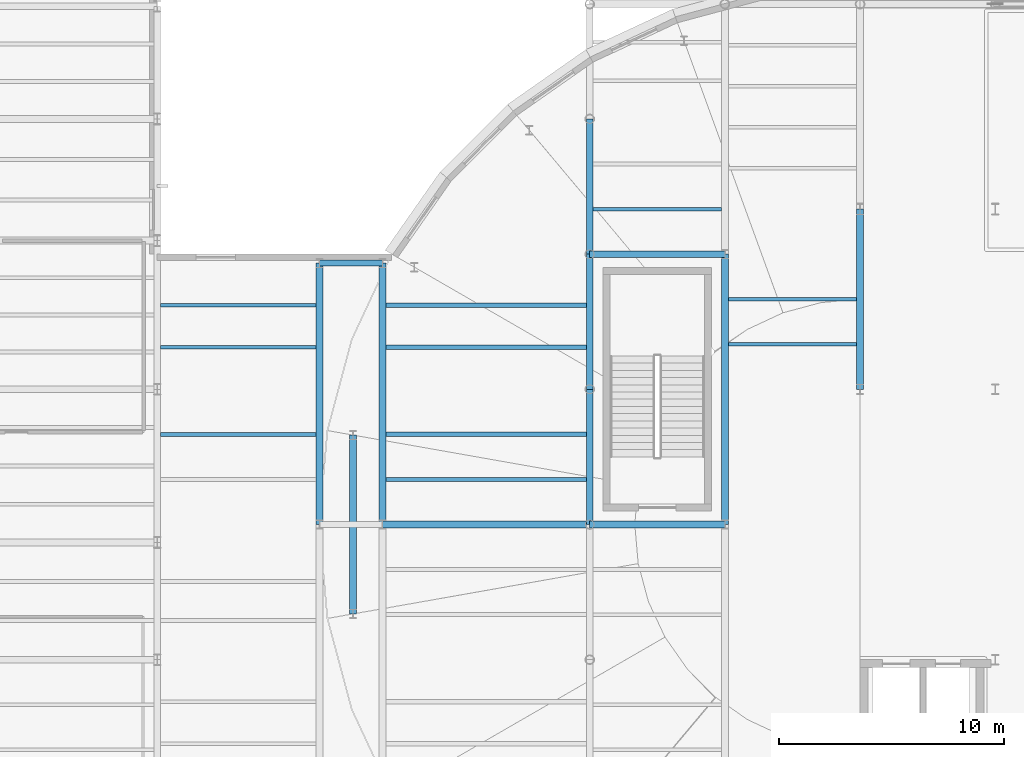
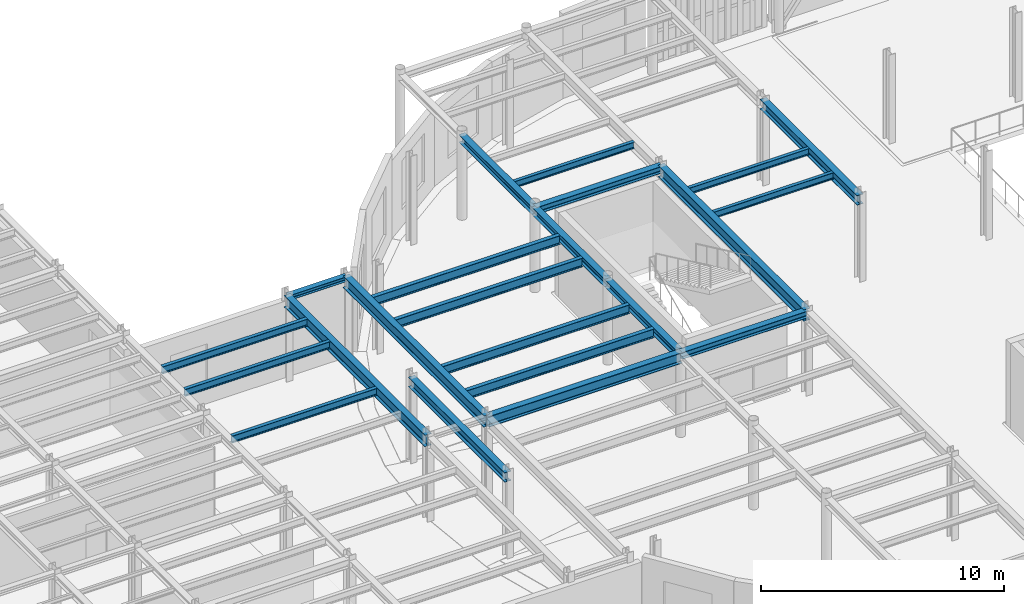
# One storey, part 20 of 91: 22 beams.
"""IFC4 building model written with IfcOpenShell, lengths in metres."""

from ifc_helpers import new_model, si_unit, direction, frame, origin, origin_2d, place, context, subcontext, project, spatial, i_section, extrude, material, material_profile, profile_set, type_object, element, save


model = new_model("IFC4")

# Units and contexts
model_context = context("Model", 3, precision=1e-05, world=origin(), true_north=direction((0.0, 1.0)))
body_context = subcontext(model_context, "Body", "Model", "MODEL_VIEW")
ifc_project = project(units=[si_unit("LENGTHUNIT", "METRE"), si_unit("AREAUNIT", "SQUARE_METRE"), si_unit("VOLUMEUNIT", "CUBIC_METRE"), si_unit("PLANEANGLEUNIT", "RADIAN"), si_unit("MASSUNIT", "GRAM", prefix="KILO")], contexts=[model_context])

# Site, building, storey
site_placement = place(None, origin())
site = spatial("IfcSite", under=ifc_project, at=site_placement, CompositionType="ELEMENT")
building_placement = place(site_placement, origin())
building = spatial("IfcBuilding", under=site, at=building_placement, Name="Kolvaren Corner Interchange", CompositionType="ELEMENT")
storey_placement = place(building_placement, frame((0.0, 0.0, 6.0)))
storey = spatial("IfcBuildingStorey", under=building, at=storey_placement, Name="L02", CompositionType="ELEMENT", Elevation=6.0)

# Beams
ifc_material_1 = material(Name="Steel S355", Category="steel")
ifc_material_profile_1 = material_profile(ifc_material_1, i_section(OverallWidth=0.260009765625, OverallDepth=0.25, WebThickness=0.007568359375, FlangeThickness=0.012451171875, FilletRadius=0.02392578125, at=origin_2d()), Name="HEA 260")
ifc_profile_set_1 = profile_set([ifc_material_profile_1], Name="Steel S355")
beam_type_1 = type_object("IfcBeamType", Name="BM-HEA260", PredefinedType="BEAM", material=ifc_profile_set_1)
beam_1_placement = place(storey_placement, frame((36.0, 59.60009765625, 4.125), z_axis=(1.0, 0.0, 0.0), x_axis=(0.0, 1.0, 0.0)))
element("IfcBeam", 1, at=beam_1_placement, inside=storey, type_object=beam_type_1, Name="Storey L02 Grid X Primary Girder 0582", PredefinedType="BEAM", context=body_context, shape_type="SweptSolid", body=[
    extrude(i_section(OverallWidth=0.260009765625, OverallDepth=0.25, WebThickness=0.007568359375, FlangeThickness=0.012451171875, FilletRadius=0.02392578125, at=origin_2d()), origin(), (0.0, 0.0, 1.0), 2.800048828125),
])
ifc_material_2 = material(Name="Steel S355", Category="steel")
ifc_material_profile_2 = material_profile(ifc_material_2, i_section(OverallWidth=0.300048828125, OverallDepth=0.35009765625, WebThickness=0.010009765625, FlangeThickness=0.017578125, FilletRadius=0.027099609375, at=origin_2d()), Name="HEA 360")
ifc_profile_set_2 = profile_set([ifc_material_profile_2], Name="Steel S355")
beam_type_2 = type_object("IfcBeamType", Name="BM-HEA360", PredefinedType="BEAM", material=ifc_profile_set_2)
for number, where, z_axis, x_axis, name in (
    (2, (48.0, 48.0, 4.074951171875), (1.0, 0.0, 0.0), (0.0, 1.0, 0.0), "Storey L02 Grid X Primary Girder 0578"),
    (3, (48.0, 60.0, 4.074951171875), (1.0, 0.0, 0.0), (0.0, 1.0, 0.0), "Storey L02 Grid X Primary Girder 0583"),
):
    element("IfcBeam", number, at=place(storey_placement, frame(where, z_axis=z_axis, x_axis=x_axis)), inside=storey, type_object=beam_type_2, Name=name, PredefinedType="BEAM", context=body_context, shape_type="SweptSolid", body=[
        extrude(i_section(OverallWidth=0.300048828125, OverallDepth=0.35009765625, WebThickness=0.010009765625, FlangeThickness=0.017578125, FilletRadius=0.027099609375, at=origin_2d()), origin(), (0.0, 0.0, 1.0), 6.0),
    ])
ifc_material_3 = material(Name="Steel S355", Category="steel")
ifc_material_profile_3 = material_profile(ifc_material_3, i_section(OverallWidth=0.300048828125, OverallDepth=0.389892578125, WebThickness=0.010986328125, FlangeThickness=0.01904296875, FilletRadius=0.027099609375, at=origin_2d()), Name="HEA 400")
ifc_profile_set_3 = profile_set([ifc_material_profile_3], Name="Steel S355")
beam_type_3 = type_object("IfcBeamType", Name="BM-HEA400", PredefinedType="BEAM", material=ifc_profile_set_3)
for number, where, z_axis, x_axis, name in (
    (4, (48.0, 48.0, 4.054931640625), (0.0, 1.0, 0.0), (-1.0, 0.0, 0.0), "Storey L02 Grid Y Primary Girder 0645"),
    (5, (48.0, 54.0, 4.054931640625), (0.0, 1.0, 0.0), (-1.0, 0.0, 0.0), "Storey L02 Grid Y Primary Girder 0646"),
    (6, (48.0, 60.0, 4.054931640625), (0.0, 1.0, 0.0), (-1.0, 0.0, 0.0), "Storey L02 Grid Y Primary Girder 0647"),
):
    element("IfcBeam", number, at=place(storey_placement, frame(where, z_axis=z_axis, x_axis=x_axis)), inside=storey, type_object=beam_type_3, Name=name, PredefinedType="BEAM", context=body_context, shape_type="SweptSolid", body=[
        extrude(i_section(OverallWidth=0.300048828125, OverallDepth=0.389892578125, WebThickness=0.010986328125, FlangeThickness=0.01904296875, FilletRadius=0.027099609375, at=origin_2d()), origin(), (0.0, 0.0, 1.0), 6.0),
    ])
ifc_material_4 = material(Name="Steel S355", Category="steel")
ifc_material_profile_4 = material_profile(ifc_material_4, i_section(OverallWidth=0.300048828125, OverallDepth=0.489990234375, WebThickness=0.011962890625, FlangeThickness=0.02294921875, FilletRadius=0.027099609375, at=origin_2d()), Name="HEA 500")
ifc_profile_set_4 = profile_set([ifc_material_profile_4], Name="Steel S355")
beam_type_4 = type_object("IfcBeamType", Name="BM-HEA500", PredefinedType="BEAM", material=ifc_profile_set_4)
beam_2_placement = place(storey_placement, frame((37.4970703125, 44.031982421875, 4.0048828125), z_axis=(0.0, 1.0, 0.0), x_axis=(-1.0, 0.0, 0.0)))
element("IfcBeam", 7, at=beam_2_placement, inside=storey, type_object=beam_type_4, Name="Storey L02 Grid Y Primary Girder 0638", PredefinedType="BEAM", context=body_context, shape_type="SweptSolid", body=[
    extrude(i_section(OverallWidth=0.300048828125, OverallDepth=0.489990234375, WebThickness=0.011962890625, FlangeThickness=0.02294921875, FilletRadius=0.027099609375, at=origin_2d()), origin(), (0.0, 0.0, 1.0), 7.93603515625),
])
beam_3_placement = place(storey_placement, frame((60.0, 54.0, 4.0048828125), z_axis=(0.0, 1.0, 0.0), x_axis=(-1.0, 0.0, 0.0)))
element("IfcBeam", 8, at=beam_3_placement, inside=storey, type_object=beam_type_4, Name="Storey L02 Grid Y Primary Girder 0653", PredefinedType="BEAM", context=body_context, shape_type="SweptSolid", body=[
    extrude(i_section(OverallWidth=0.300048828125, OverallDepth=0.489990234375, WebThickness=0.011962890625, FlangeThickness=0.02294921875, FilletRadius=0.027099609375, at=origin_2d()), origin(), (0.0, 0.0, 1.0), 8.0),
])
ifc_material_5 = material(Name="Steel S355", Category="steel")
ifc_material_profile_5 = material_profile(ifc_material_5, i_section(OverallWidth=0.300048828125, OverallDepth=0.5400390625, WebThickness=0.012451171875, FlangeThickness=0.02392578125, FilletRadius=0.027099609375, at=origin_2d()), Name="HEA 550")
ifc_profile_set_5 = profile_set([ifc_material_profile_5], Name="Steel S355")
beam_type_5 = type_object("IfcBeamType", Name="BM-HEA550", PredefinedType="BEAM", material=ifc_profile_set_5)
beam_4_placement = place(storey_placement, frame((38.800048828125, 48.0, 3.97998046875), z_axis=(1.0, 0.0, 0.0), x_axis=(0.0, 1.0, 0.0)))
element("IfcBeam", 9, at=beam_4_placement, inside=storey, type_object=beam_type_5, Name="Storey L02 Grid X Primary Girder 0577", PredefinedType="BEAM", context=body_context, shape_type="SweptSolid", body=[
    extrude(i_section(OverallWidth=0.300048828125, OverallDepth=0.5400390625, WebThickness=0.012451171875, FlangeThickness=0.02392578125, FilletRadius=0.027099609375, at=origin_2d()), origin(), (0.0, 0.0, 1.0), 9.199951171875),
])
ifc_material_6 = material(Name="Steel S355", Category="steel")
ifc_material_profile_6 = material_profile(ifc_material_6, i_section(OverallWidth=0.300048828125, OverallDepth=0.590087890625, WebThickness=0.012939453125, FlangeThickness=0.02490234375, FilletRadius=0.027099609375, at=origin_2d()), Name="HEA 600")
ifc_profile_set_6 = profile_set([ifc_material_profile_6], Name="Steel S355")
beam_type_6 = type_object("IfcBeamType", Name="BM-HEA600", PredefinedType="BEAM", material=ifc_profile_set_6)
for number, where, z_axis, x_axis, name in (
    (10, (36.0, 48.0, 3.955078125), (0.0, 1.0, 0.0), (-1.0, 0.0, 0.0), "Storey L02 Grid Y Primary Girder 0637"),
    (11, (38.800048828125, 48.0, 3.955078125), (0.0, 1.0, 0.0), (-1.0, 0.0, 0.0), "Storey L02 Grid Y Primary Girder 0640"),
):
    element("IfcBeam", number, at=place(storey_placement, frame(where, z_axis=z_axis, x_axis=x_axis)), inside=storey, type_object=beam_type_6, Name=name, PredefinedType="BEAM", context=body_context, shape_type="SweptSolid", body=[
        extrude(i_section(OverallWidth=0.300048828125, OverallDepth=0.590087890625, WebThickness=0.012939453125, FlangeThickness=0.02490234375, FilletRadius=0.027099609375, at=origin_2d()), origin(), (0.0, 0.0, 1.0), 11.60009765625),
    ])
beam_5_placement = place(storey_placement, frame((54.0, 48.0, 3.955078125), z_axis=(0.0, 1.0, 0.0), x_axis=(-1.0, 0.0, 0.0)))
element("IfcBeam", 12, at=beam_5_placement, inside=storey, type_object=beam_type_6, Name="Storey L02 Grid Y Primary Girder 0651", PredefinedType="BEAM", context=body_context, shape_type="SweptSolid", body=[
    extrude(i_section(OverallWidth=0.300048828125, OverallDepth=0.590087890625, WebThickness=0.012939453125, FlangeThickness=0.02490234375, FilletRadius=0.027099609375, at=origin_2d()), origin(), (0.0, 0.0, 1.0), 12.0),
])
ifc_material_7 = material(Name="Steel S355", Category="steel")
ifc_material_profile_7 = material_profile(ifc_material_7, i_section(OverallWidth=0.159912109375, OverallDepth=0.330078125, WebThickness=0.007568359375, FlangeThickness=0.011474609375, FilletRadius=0.01806640625, at=origin_2d()), Name="IPE 330")
ifc_profile_set_7 = profile_set([ifc_material_profile_7], Name="Steel S355")
beam_type_7 = type_object("IfcBeamType", Name="JS-IPE330", PredefinedType="JOIST", material=ifc_profile_set_7)
for number, where, z_axis, x_axis, name in (
    (13, (48.14990234375, 62.0, 4.0849609375), (1.0, 0.0, 0.0), (0.0, 1.0, 0.0), "Storey L02 Composite Floor Joist 0609"),
    (14, (54.14990234375, 56.0, 4.0849609375), (1.0, 0.0, 0.0), (0.0, 1.0, 0.0), "Storey L02 Composite Floor Joist 0613"),
    (15, (54.14990234375, 58.0, 4.0849609375), (1.0, 0.0, 0.0), (0.0, 1.0, 0.0), "Storey L02 Composite Floor Joist 0614"),
):
    element("IfcBeam", number, at=place(storey_placement, frame(where, z_axis=z_axis, x_axis=x_axis)), inside=storey, type_object=beam_type_7, Name=name, PredefinedType="JOIST", context=body_context, shape_type="SweptSolid", body=[
        extrude(i_section(OverallWidth=0.159912109375, OverallDepth=0.330078125, WebThickness=0.007568359375, FlangeThickness=0.011474609375, FilletRadius=0.01806640625, at=origin_2d()), origin(), (0.0, 0.0, 1.0), 5.7001953125),
    ])
ifc_material_8 = material(Name="Steel S355", Category="steel")
ifc_material_profile_8 = material_profile(ifc_material_8, i_section(OverallWidth=0.169921875, OverallDepth=0.360107421875, WebThickness=0.008056640625, FlangeThickness=0.0126953125, FilletRadius=0.01806640625, at=origin_2d()), Name="IPE 360")
ifc_profile_set_8 = profile_set([ifc_material_profile_8], Name="Steel S355")
beam_type_8 = type_object("IfcBeamType", Name="JS-IPE360", PredefinedType="JOIST", material=ifc_profile_set_8)
for number, where, z_axis, x_axis, name in (
    (16, (28.949951171875, 52.0, 4.070068359375), (1.0, 0.0, 0.0), (0.0, 1.0, 0.0), "Storey L02 Composite Floor Joist 0590"),
    (17, (28.949951171875, 55.86669921875, 4.070068359375), (1.0, 0.0, 0.0), (0.0, 1.0, 0.0), "Storey L02 Composite Floor Joist 0591"),
    (18, (28.949951171875, 57.7333984375, 4.070068359375), (1.0, 0.0, 0.0), (0.0, 1.0, 0.0), "Storey L02 Composite Floor Joist 0592"),
):
    element("IfcBeam", number, at=place(storey_placement, frame(where, z_axis=z_axis, x_axis=x_axis)), inside=storey, type_object=beam_type_8, Name=name, PredefinedType="JOIST", context=body_context, shape_type="SweptSolid", body=[
        extrude(i_section(OverallWidth=0.169921875, OverallDepth=0.360107421875, WebThickness=0.008056640625, FlangeThickness=0.0126953125, FilletRadius=0.01806640625, at=origin_2d()), origin(), (0.0, 0.0, 1.0), 6.900146484375),
    ])
ifc_material_9 = material(Name="Steel S355", Category="steel")
ifc_material_profile_9 = material_profile(ifc_material_9, i_section(OverallWidth=0.18994140625, OverallDepth=0.449951171875, WebThickness=0.009521484375, FlangeThickness=0.0146484375, FilletRadius=0.02099609375, at=origin_2d()), Name="IPE 450")
ifc_profile_set_9 = profile_set([ifc_material_profile_9], Name="Steel S355")
beam_type_9 = type_object("IfcBeamType", Name="JS-IPE450", PredefinedType="JOIST", material=ifc_profile_set_9)
for number, where, z_axis, x_axis, name in (
    (19, (38.949951171875, 50.0, 4.02490234375), (1.0, 0.0, 0.0), (0.0, 1.0, 0.0), "Storey L02 Composite Floor Joist 0597"),
    (20, (38.949951171875, 52.0, 4.02490234375), (1.0, 0.0, 0.0), (0.0, 1.0, 0.0), "Storey L02 Composite Floor Joist 0598"),
    (21, (38.949951171875, 55.86669921875, 4.02490234375), (1.0, 0.0, 0.0), (0.0, 1.0, 0.0), "Storey L02 Composite Floor Joist 0599"),
    (22, (38.949951171875, 57.7333984375, 4.02490234375), (1.0, 0.0, 0.0), (0.0, 1.0, 0.0), "Storey L02 Composite Floor Joist 0600"),
):
    element("IfcBeam", number, at=place(storey_placement, frame(where, z_axis=z_axis, x_axis=x_axis)), inside=storey, type_object=beam_type_9, Name=name, PredefinedType="JOIST", context=body_context, shape_type="SweptSolid", body=[
        extrude(i_section(OverallWidth=0.18994140625, OverallDepth=0.449951171875, WebThickness=0.009521484375, FlangeThickness=0.0146484375, FilletRadius=0.02099609375, at=origin_2d()), origin(), (0.0, 0.0, 1.0), 8.900146484375),
    ])

save(model, "model.ifc")
